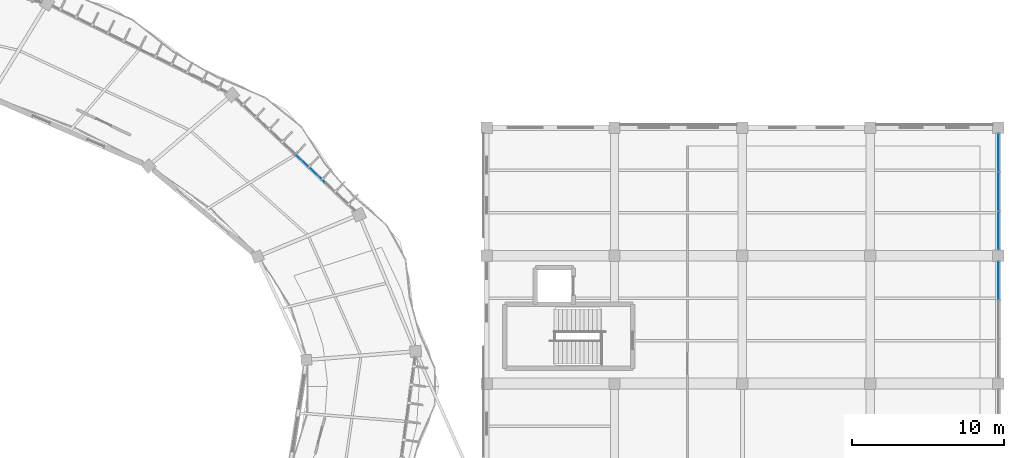
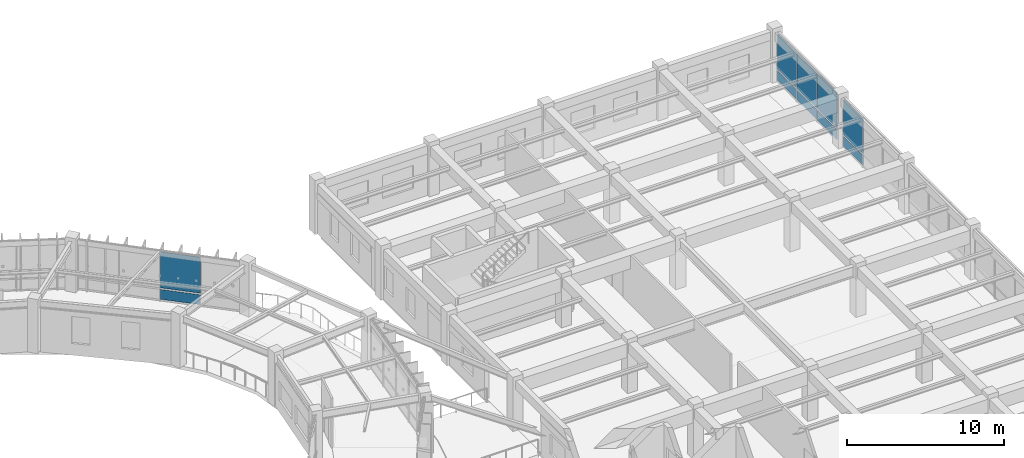
# One storey, part 117 of 152: 10 plates, 3 elements without a shape of their own.
"""IFC4 building model written with IfcOpenShell, lengths in metres."""

from ifc_helpers import new_model, si_unit, direction, frame, origin, origin_2d, place, context, subcontext, project, spatial, rectangle, extrude, material, layer, layer_set, type_object, element, aggregate, save


model = new_model("IFC4")

# Units and contexts
model_context = context("Model", 3, precision=1e-05, world=origin(), true_north=direction((0.0, 1.0)))
body_context = subcontext(model_context, "Body", "Model", "MODEL_VIEW")
ifc_project = project(units=[si_unit("LENGTHUNIT", "METRE"), si_unit("AREAUNIT", "SQUARE_METRE"), si_unit("VOLUMEUNIT", "CUBIC_METRE"), si_unit("PLANEANGLEUNIT", "RADIAN"), si_unit("MASSUNIT", "GRAM", prefix="KILO"), si_unit("THERMODYNAMICTEMPERATUREUNIT", "KELVIN"), si_unit("POWERUNIT", "WATT")], contexts=[model_context])

# Site, building, storey
site_placement = place(None, origin())
site = spatial("IfcSite", under=ifc_project, at=site_placement, CompositionType="ELEMENT")
building_placement = place(site_placement, origin())
building = spatial("IfcBuilding", under=site, at=building_placement, Name="Darbajah Civic Hall", CompositionType="ELEMENT")
storey_placement = place(building_placement, frame((0.0, 0.0, 5.39990234375)))
storey = spatial("IfcBuildingStorey", under=building, at=storey_placement, Name="L01", CompositionType="ELEMENT", Elevation=5.39990234375)

# Curtain wall, plates
ifc_material_1 = material(Name="Anodised Bronze Aluminium and Low-E Glazing", Category="aluminium")
curtain_wall_type_1 = type_object("IfcCurtainWallType", Name="Unitised Curtain Wall CW-19 10700x3900", PredefinedType="USERDEFINED", material=ifc_material_1)
curtain_wall_1_placement = place(storey_placement, origin())
curtain_wall_1 = element("IfcCurtainWall", 1, at=curtain_wall_1_placement, inside=storey, type_object=curtain_wall_type_1, Name="L01 unitised curtain wall CW-V1O-L01-01", ObjectType="UNITISED CURTAIN WALL", PredefinedType="USERDEFINED")
ifc_material_2 = material(Name="Low-E Solar Control Double Glazing", Category="glass")
ifc_layer_1 = layer(ifc_material_2, 0.028076171875, Name="Low-E Solar Control Double Glazing")
ifc_layer_set_1 = layer_set([ifc_layer_1], Name="Low-E Solar Control Double Glazing")
plate_type_1 = type_object("IfcPlateType", Name="Solar Double Glazing 28mm", PredefinedType="CURTAIN_PANEL", material=ifc_layer_set_1)
plate_1_placement = place(storey_placement, frame((133.02294921875, 104.10498046875, 0.1201171875), z_axis=(0.0, 0.0, 1.0), x_axis=(-0.727173991201, 0.686453193248, 0.0)))
plate_1 = element("IfcPlate", 2, at=plate_1_placement, type_object=plate_type_1, Name="CW-V1O-L01-01 glazed panel 2.1", PredefinedType="CURTAIN_PANEL", context=body_context, shape_type="SweptSolid", body=[
    extrude(rectangle(XDim=2.607666015625, YDim=0.028076171875, at=origin_2d()), origin(), (0.0, 0.0, 1.0), 0.77001953125),
])
plate_2_placement = place(storey_placement, frame((133.02294921875, 104.10498046875, 1.010009765625), z_axis=(0.0, 0.0, 1.0), x_axis=(-0.727173991201, 0.686453193248, 0.0)))
plate_2 = element("IfcPlate", 3, at=plate_2_placement, type_object=plate_type_1, Name="CW-V1O-L01-01 glazed panel 2.2", PredefinedType="CURTAIN_PANEL", context=body_context, shape_type="SweptSolid", body=[
    extrude(rectangle(XDim=2.607666015625, YDim=0.028076171875, at=origin_2d()), origin(), (0.0, 0.0, 1.0), 2.7900390625),
])
aggregate(curtain_wall_1, [plate_1, plate_2])

curtain_wall_type_2 = type_object("IfcCurtainWallType", Name="Unitised Curtain Wall CW-96 7600x3850", PredefinedType="USERDEFINED", material=ifc_material_1)
curtain_wall_2_placement = place(storey_placement, origin())
curtain_wall_2 = element("IfcCurtainWall", 4, at=curtain_wall_2_placement, inside=storey, type_object=curtain_wall_type_2, Name="L01 unitised curtain wall CW-V4-L01-S1-B4", ObjectType="UNITISED CURTAIN WALL", PredefinedType="USERDEFINED")
ifc_layer_2 = layer(ifc_material_2, 0.031982421875, Name="Low-E Solar Control Double Glazing")
ifc_layer_set_2 = layer_set([ifc_layer_2], Name="Low-E Solar Control Double Glazing")
plate_type_2 = type_object("IfcPlateType", Name="Solar Double Glazing 32mm", PredefinedType="CURTAIN_PANEL", material=ifc_layer_set_2)
plate_3_placement = place(storey_placement, frame((178.199951171875, 96.74853515625, 0.1201171875), z_axis=(0.0, 0.0, 1.0), x_axis=(0.0, 1.0, 0.0)))
plate_3 = element("IfcPlate", 5, at=plate_3_placement, type_object=plate_type_2, Name="CW-V4-L01-S1-B4 glazed panel 3.1", PredefinedType="CURTAIN_PANEL", context=body_context, shape_type="SweptSolid", body=[
    extrude(rectangle(XDim=2.478759765625, YDim=0.031982421875, at=origin_2d()), origin(), (0.0, 0.0, 1.0), 0.77001953125),
])
plate_4_placement = place(storey_placement, frame((178.199951171875, 96.74853515625, 1.010009765625), z_axis=(0.0, 0.0, 1.0), x_axis=(0.0, 1.0, 0.0)))
plate_4 = element("IfcPlate", 6, at=plate_4_placement, type_object=plate_type_2, Name="CW-V4-L01-S1-B4 glazed panel 3.2", PredefinedType="CURTAIN_PANEL", context=body_context, shape_type="SweptSolid", body=[
    extrude(rectangle(XDim=2.478759765625, YDim=0.031982421875, at=origin_2d()), origin(), (0.0, 0.0, 1.0), 2.72998046875),
])
aggregate(curtain_wall_2, [plate_3, plate_4])

curtain_wall_3_placement = place(storey_placement, origin())
curtain_wall_3 = element("IfcCurtainWall", 7, at=curtain_wall_3_placement, inside=storey, type_object=curtain_wall_type_2, Name="L01 unitised curtain wall CW-V4-L01-S1-B5", ObjectType="UNITISED CURTAIN WALL", PredefinedType="USERDEFINED")
plate_5_placement = place(storey_placement, frame((178.199951171875, 100.05126953125, 0.1201171875), z_axis=(0.0, 0.0, 1.0), x_axis=(0.0, 1.0, 0.0)))
plate_5 = element("IfcPlate", 8, at=plate_5_placement, type_object=plate_type_2, Name="CW-V4-L01-S1-B5 glazed panel 1.1", PredefinedType="CURTAIN_PANEL", context=body_context, shape_type="SweptSolid", body=[
    extrude(rectangle(XDim=2.478759765625, YDim=0.031982421875, at=origin_2d()), origin(), (0.0, 0.0, 1.0), 0.77001953125),
])
plate_6_placement = place(storey_placement, frame((178.199951171875, 100.05126953125, 1.010009765625), z_axis=(0.0, 0.0, 1.0), x_axis=(0.0, 1.0, 0.0)))
plate_6 = element("IfcPlate", 9, at=plate_6_placement, type_object=plate_type_2, Name="CW-V4-L01-S1-B5 glazed panel 1.2", PredefinedType="CURTAIN_PANEL", context=body_context, shape_type="SweptSolid", body=[
    extrude(rectangle(XDim=2.478759765625, YDim=0.031982421875, at=origin_2d()), origin(), (0.0, 0.0, 1.0), 2.72998046875),
])
plate_7_placement = place(storey_placement, frame((178.199951171875, 102.60009765625, 0.1201171875), z_axis=(0.0, 0.0, 1.0), x_axis=(0.0, 1.0, 0.0)))
plate_7 = element("IfcPlate", 10, at=plate_7_placement, type_object=plate_type_2, Name="CW-V4-L01-S1-B5 glazed panel 2.1", PredefinedType="CURTAIN_PANEL", context=body_context, shape_type="SweptSolid", body=[
    extrude(rectangle(XDim=2.478759765625, YDim=0.031982421875, at=origin_2d()), origin(), (0.0, 0.0, 1.0), 0.77001953125),
])
plate_8_placement = place(storey_placement, frame((178.199951171875, 102.60009765625, 1.010009765625), z_axis=(0.0, 0.0, 1.0), x_axis=(0.0, 1.0, 0.0)))
plate_8 = element("IfcPlate", 11, at=plate_8_placement, type_object=plate_type_2, Name="CW-V4-L01-S1-B5 glazed panel 2.2", PredefinedType="CURTAIN_PANEL", context=body_context, shape_type="SweptSolid", body=[
    extrude(rectangle(XDim=2.478759765625, YDim=0.031982421875, at=origin_2d()), origin(), (0.0, 0.0, 1.0), 2.72998046875),
])
plate_9_placement = place(storey_placement, frame((178.199951171875, 105.148681640625, 0.1201171875), z_axis=(0.0, 0.0, 1.0), x_axis=(0.0, 1.0, 0.0)))
plate_9 = element("IfcPlate", 12, at=plate_9_placement, type_object=plate_type_2, Name="CW-V4-L01-S1-B5 glazed panel 3.1", PredefinedType="CURTAIN_PANEL", context=body_context, shape_type="SweptSolid", body=[
    extrude(rectangle(XDim=2.478759765625, YDim=0.031982421875, at=origin_2d()), origin(), (0.0, 0.0, 1.0), 0.77001953125),
])
plate_10_placement = place(storey_placement, frame((178.199951171875, 105.148681640625, 1.010009765625), z_axis=(0.0, 0.0, 1.0), x_axis=(0.0, 1.0, 0.0)))
plate_10 = element("IfcPlate", 13, at=plate_10_placement, type_object=plate_type_2, Name="CW-V4-L01-S1-B5 glazed panel 3.2", PredefinedType="CURTAIN_PANEL", context=body_context, shape_type="SweptSolid", body=[
    extrude(rectangle(XDim=2.478759765625, YDim=0.031982421875, at=origin_2d()), origin(), (0.0, 0.0, 1.0), 2.72998046875),
])
aggregate(curtain_wall_3, [plate_5, plate_6, plate_7, plate_8, plate_9, plate_10])

save(model, "model.ifc")
